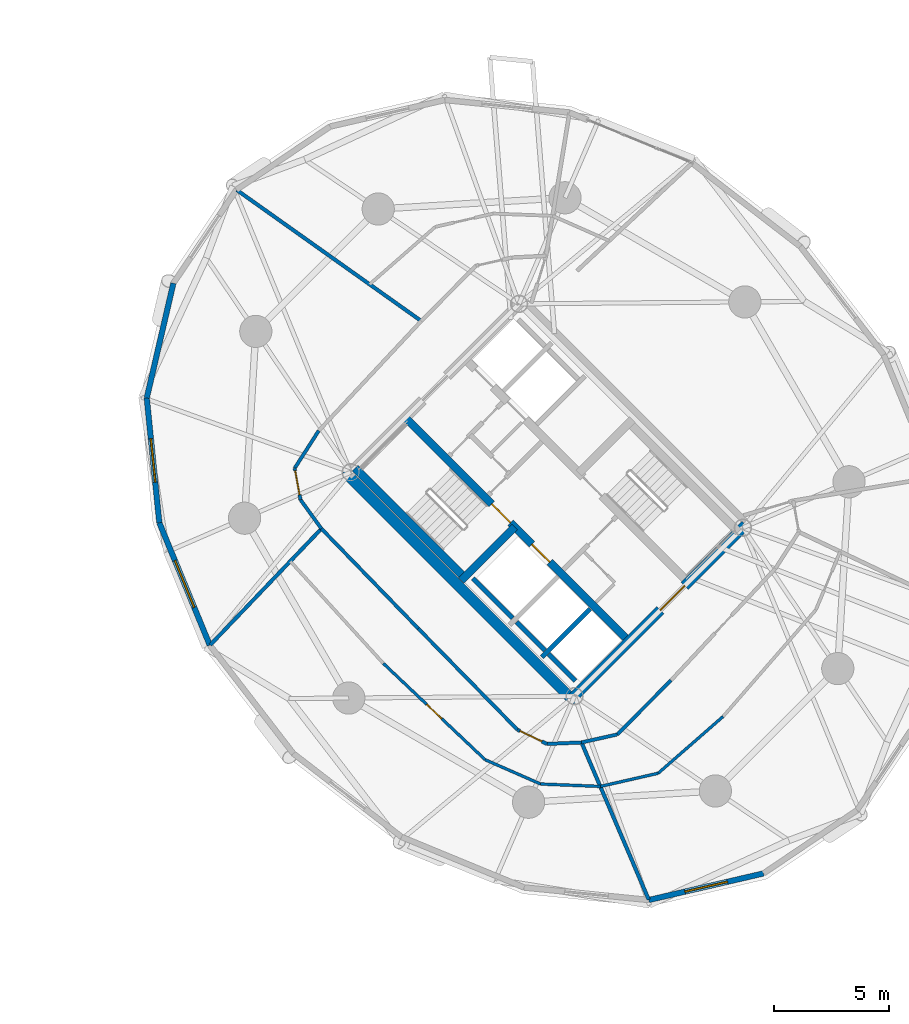
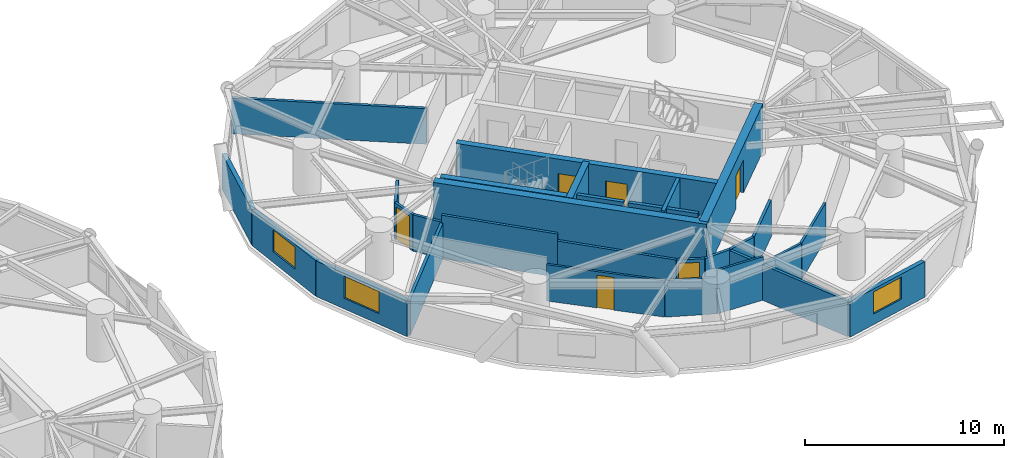
# One storey, part 12 of 17: 30 walls, 6 doors, 3 windows, 9 openings.
"""IFC4 building model written with IfcOpenShell, lengths in metres."""

from ifc_helpers import new_model, si_unit, direction, frame, frame_2d, origin, place, context, subcontext, project, spatial, rectangle, extrude, source, transform, mapped, material, layer, layer_set, type_object, element, fill, save


model = new_model("IFC4")

# Units and contexts
model_context = context("Model", 3, precision=1e-05, world=origin(), true_north=direction((0.0, 1.0)))
body_context = subcontext(model_context, "Body", "Model", "MODEL_VIEW")
ifc_project = project(units=[si_unit("LENGTHUNIT", "METRE"), si_unit("AREAUNIT", "SQUARE_METRE"), si_unit("VOLUMEUNIT", "CUBIC_METRE"), si_unit("PLANEANGLEUNIT", "RADIAN"), si_unit("MASSUNIT", "GRAM", prefix="KILO")], contexts=[model_context])

# Site, building, storey
site_placement = place(None, origin())
site = spatial("IfcSite", under=ifc_project, at=site_placement, CompositionType="ELEMENT")
building_placement = place(site_placement, origin())
building = spatial("IfcBuilding", under=site, at=building_placement, Name="Cununo Teusaquillo Station Towers", CompositionType="ELEMENT")
storey_placement = place(building_placement, frame((0.0, 0.0, 107.97998046875)))
storey = spatial("IfcBuildingStorey", under=building, at=storey_placement, Name="L34", CompositionType="ELEMENT", Elevation=107.97998046875)

# Walls
ifc_material_1 = material(Name="Concrete C50/60", Category="concrete")
ifc_layer_1 = layer(ifc_material_1, 0.199951171875)
ifc_layer_set_1 = layer_set([ifc_layer_1], Name="Concrete C50/60")
wall_type_1 = type_object("IfcWallType", Name="WL-CORE-200", PredefinedType="SHEAR", material=ifc_layer_set_1)
wall_1_placement = place(storey_placement, frame((56.01513671875, 19.366455078125, 0.0), z_axis=(0.0, 0.0, 1.0), x_axis=(-0.707106781187, 0.707106781187, 0.0)))
element("IfcWall", 1, at=wall_1_placement, inside=storey, type_object=wall_type_1, Name="L34 Tower B Firefighting Lift Shaft Rear Shear Wall", PredefinedType="SHEAR", context=body_context, shape_type="SweptSolid", body=[
    extrude(rectangle(XDim=2.43994140625, YDim=0.199951171875, at=frame_2d((1.219970703125, 0.0))), origin(), (0.0, 0.0, 1.0), 2.909912109375),
])
wall_2_placement = place(storey_placement, frame((57.2841796875, 17.6728515625, 0.0), z_axis=(0.0, 0.0, 1.0), x_axis=(0.707147878904, 0.70706568108, 0.0)))
element("IfcWall", 2, at=wall_2_placement, inside=storey, type_object=wall_type_1, Name="L34 Tower B High-Rise Lift Hoistway Divider Shear Wall", PredefinedType="SHEAR", context=body_context, shape_type="SweptSolid", body=[
    extrude(rectangle(XDim=2.97021484375, YDim=0.199951171875, at=frame_2d((1.485107421875, 0.0))), origin(), (0.0, 0.0, 1.0), 2.909912109375),
])
wall_3_placement = place(storey_placement, frame((57.41162109375, 17.969970703125, 0.0), z_axis=(0.0, 0.0, 1.0), x_axis=(-0.707106781187, 0.707106781187, 0.0)))
element("IfcWall", 3, at=wall_3_placement, inside=storey, type_object=wall_type_1, Name="L34 Tower B High-Rise Lift 2 Shaft Rear Shear Wall", PredefinedType="SHEAR", context=body_context, shape_type="SweptSolid", body=[
    extrude(rectangle(XDim=1.73486328125, YDim=0.199951171875, at=frame_2d((0.867431640625, 0.0))), origin(), (0.0, 0.0, 1.0), 2.909912109375),
])
wall_4_placement = place(storey_placement, frame((58.7373046875, 16.64404296875, 0.0), z_axis=(0.0, 0.0, 1.0), x_axis=(-0.707032117043, 0.707181437447, 0.0)))
element("IfcWall", 4, at=wall_4_placement, inside=storey, type_object=wall_type_1, Name="L34 Tower B High-Rise Lift 1 Shaft Rear Shear Wall", PredefinedType="SHEAR", context=body_context, shape_type="SweptSolid", body=[
    extrude(rectangle(XDim=1.635009765625, YDim=0.199951171875, at=frame_2d((0.8173828125, 0.0))), origin(), (0.0, 0.0, 1.0), 2.909912109375),
])

# Wall, openings, doors
ifc_material_2 = material(Name="Concrete C50/60", Category="concrete")
ifc_layer_2 = layer(ifc_material_2, 0.35009765625)
ifc_layer_set_2 = layer_set([ifc_layer_2], Name="Concrete C50/60")
wall_type_2 = type_object("IfcWallType", Name="WL-CORE-350", PredefinedType="SHEAR", material=ifc_layer_set_2)
wall_5_placement = place(storey_placement, frame((61.077880859375, 18.355224609375, 0.0), z_axis=(0.0, 0.0, 1.0), x_axis=(-0.707106781187, 0.707106781187, 0.0)))
wall_5 = element("IfcWall", 5, at=wall_5_placement, inside=storey, type_object=wall_type_2, Name="L34 Tower B Core Shear Wall IW", PredefinedType="SHEAR", context=body_context, shape_type="SweptSolid", body=[
    extrude(rectangle(XDim=13.75, YDim=0.35009765625, at=frame_2d((6.875, 0.0))), origin(), (0.0, 0.0, 1.0), 2.909912109375),
])
shared_shape_1 = source(origin(), body_context, "Body", "SweptSolid", [
    extrude(rectangle(XDim=1.10009765625, YDim=2.014892578125, at=frame_2d((0.550048828125, 1.00732421875))), frame((0.0, 0.18505859375, 0.0), z_axis=(0.0, -1.0, 0.0), x_axis=(1.0, 0.0, 0.0)), (0.0, 0.0, 1.0), 0.3701171875),
])
opening_1_placement = place(wall_5_placement, frame((4.875, 0.0, 0.0)))
opening_1 = element("IfcOpeningElement", 6, at=opening_1_placement, cuts=wall_5, Name="Opening LD-01", PredefinedType="OPENING", context=body_context, shape_type="MappedRepresentation", body=[
    mapped(shared_shape_1, transform((0.0, 0.0, 0.0), x_axis=(1.0, 0.0, 0.0), y_axis=(0.0, 1.0, 0.0), z_axis=(0.0, 0.0, 1.0), scale=1.0)),
])
shared_shape_2 = source(origin(), body_context, "Body", "SweptSolid", [
    extrude(rectangle(XDim=1.14990234375, YDim=2.02001953125, at=frame_2d((0.574951171875, 1.010009765625))), frame((0.0, 0.18505859375, 0.0), z_axis=(0.0, -1.0, 0.0), x_axis=(1.0, 0.0, 0.0)), (0.0, 0.0, 1.0), 0.3701171875),
])
opening_2_placement = place(wall_5_placement, frame((7.294921875, 0.0, 0.0)))
opening_2 = element("IfcOpeningElement", 7, at=opening_2_placement, cuts=wall_5, Name="Opening D-ST1", PredefinedType="OPENING", context=body_context, shape_type="MappedRepresentation", body=[
    mapped(shared_shape_2, transform((0.0, 0.0, 0.0), x_axis=(1.0, 0.0, 0.0), y_axis=(0.0, 1.0, 0.0), z_axis=(0.0, 0.0, 1.0), scale=1.0)),
])
ifc_material_3 = material(Name="Galvanised fire-rated hollow steel door assembly", Category="steel")
door_type_1 = type_object("IfcDoorType", Name="DR-LIFT-1100", OperationType="SLIDING_TO_LEFT", PredefinedType="DOOR", material=ifc_material_3)
shared_shape_3 = source(origin(), body_context, "Body", "SweptSolid", [
    extrude(rectangle(XDim=1.10009765625, YDim=2.014892578125, at=frame_2d((0.550048828125, 1.00732421875))), frame((0.0, 0.02490234375, 0.0), z_axis=(0.0, -1.0, 0.0), x_axis=(1.0, 0.0, 0.0)), (0.0, 0.0, 1.0), 0.050048828125),
])
door_1_placement = place(opening_1_placement, origin())
door_1 = element("IfcDoor", 8, at=door_1_placement, inside=storey, type_object=door_type_1, Name="L34 Lift FL-T2 Sliding Landing Door", OperationType="SLIDING_TO_RIGHT", OverallHeight=2.014892578125, OverallWidth=1.10009765625, PredefinedType="DOOR", context=body_context, shape_type="MappedRepresentation", body=[
    mapped(shared_shape_3, transform((0.0, 0.0, 0.0), x_axis=(1.0, 0.0, 0.0), y_axis=(0.0, 1.0, 0.0), z_axis=(0.0, 0.0, 1.0), scale=1.0)),
])
fill(opening_1, door_1)
ifc_material_4 = material(Name="Galvanised fire-rated hollow steel door assembly", Category="steel")
door_type_2 = type_object("IfcDoorType", Name="DR-STAIR-1150", OperationType="NOTDEFINED", PredefinedType="DOOR", material=ifc_material_4)
shared_shape_4 = source(origin(), body_context, "Body", "SweptSolid", [
    extrude(rectangle(XDim=1.14990234375, YDim=2.02001953125, at=frame_2d((0.574951171875, 1.010009765625))), frame((0.0, 0.02490234375, 0.0), z_axis=(0.0, -1.0, 0.0), x_axis=(1.0, 0.0, 0.0)), (0.0, 0.0, 1.0), 0.050048828125),
])
door_2_placement = place(opening_2_placement, origin())
door_2 = element("IfcDoor", 9, at=door_2_placement, inside=storey, type_object=door_type_2, Name="L34 Tower B Exit Stair 1 Fire Door", OperationType="SINGLE_SWING_LEFT", OverallHeight=2.02001953125, OverallWidth=1.14990234375, PredefinedType="DOOR", context=body_context, shape_type="MappedRepresentation", body=[
    mapped(shared_shape_4, transform((0.0, 0.0, 0.0), x_axis=(1.0, 0.0, 0.0), y_axis=(0.0, 1.0, 0.0), z_axis=(0.0, 0.0, 1.0), scale=1.0)),
])
fill(opening_2, door_2)

# Walls
wall_6_placement = place(storey_placement, frame((53.922119140625, 21.14111328125, 0.0), z_axis=(0.0, 0.0, 1.0), x_axis=(-0.707088616009, 0.707124945897, 0.0)))
element("IfcWall", 10, at=wall_6_placement, inside=storey, type_object=wall_type_2, Name="L34 Tower B Core Shear Wall ST1W", PredefinedType="SHEAR", context=body_context, shape_type="SweptSolid", body=[
    extrude(rectangle(XDim=6.72021484375, YDim=0.35009765625, at=frame_2d((3.360107421875, 0.0))), origin(), (0.0, 0.0, 1.0), 2.909912109375),
])
wall_7_placement = place(storey_placement, frame((53.7841796875, 21.00341796875, 0.0), z_axis=(0.0, 0.0, 1.0), x_axis=(0.707106781187, 0.707106781187, 0.0)))
element("IfcWall", 11, at=wall_7_placement, inside=storey, type_object=wall_type_2, Name="L34 Tower B Core Shear Wall ST1S", PredefinedType="SHEAR", context=body_context, shape_type="SweptSolid", body=[
    extrude(rectangle(XDim=3.284912109375, YDim=0.35009765625, at=frame_2d((1.642578125, 0.0))), origin(), (0.0, 0.0, 1.0), 2.909912109375),
])
ifc_material_5 = material(Name="Concrete C60/75", Category="concrete")
ifc_layer_3 = layer(ifc_material_5, 0.449951171875)
ifc_layer_set_3 = layer_set([ifc_layer_3], Name="Concrete C60/75")
wall_type_3 = type_object("IfcWallType", Name="WL-CORE-450", PredefinedType="SHEAR", material=ifc_layer_set_3)
wall_8_placement = place(storey_placement, frame((58.7373046875, 15.696533203125, 0.0), z_axis=(0.0, 0.0, 1.0), x_axis=(-0.707106781187, 0.707106781187, 0.0)))
element("IfcWall", 12, at=wall_8_placement, inside=storey, type_object=wall_type_3, Name="L34 Tower B Core Shear Wall W", PredefinedType="SHEAR", context=body_context, shape_type="SweptSolid", body=[
    extrude(rectangle(XDim=14.19970703125, YDim=0.449951171875, at=frame_2d((7.099853515625, 0.0))), origin(), (0.0, 0.0, 1.0), 2.909912109375),
])

# Wall, opening, door
wall_9_placement = place(storey_placement, frame((58.578369140625, 15.855712890625, 0.0), z_axis=(0.0, 0.0, 1.0), x_axis=(0.707106781187, 0.707106781187, 0.0)))
wall_9 = element("IfcWall", 13, at=wall_9_placement, inside=storey, type_object=wall_type_3, Name="L34 Tower B Core Shear Wall S", PredefinedType="SHEAR", context=body_context, shape_type="SweptSolid", body=[
    extrude(rectangle(XDim=10.69970703125, YDim=0.449951171875, at=frame_2d((5.349853515625, 0.0))), origin(), (0.0, 0.0, 1.0), 2.909912109375),
])
shared_shape_5 = source(origin(), body_context, "Body", "SweptSolid", [
    extrude(rectangle(XDim=1.5, YDim=2.02001953125, at=frame_2d((0.75, 1.010009765625))), frame((0.0, 0.23486328125, 0.0), z_axis=(0.0, -1.0, 0.0), x_axis=(1.0, 0.0, 0.0)), (0.0, 0.0, 1.0), 0.469970703125),
])
opening_3_placement = place(wall_9_placement, frame((5.449951171875, 0.0, 0.0)))
opening_3 = element("IfcOpeningElement", 14, at=opening_3_placement, cuts=wall_9, Name="Opening D-LB1", PredefinedType="OPENING", context=body_context, shape_type="MappedRepresentation", body=[
    mapped(shared_shape_5, transform((0.0, 0.0, 0.0), x_axis=(1.0, 0.0, 0.0), y_axis=(0.0, 1.0, 0.0), z_axis=(0.0, 0.0, 1.0), scale=1.0)),
])
ifc_material_6 = material(Name="Galvanised fire-rated hollow steel door assembly", Category="steel")
door_type_3 = type_object("IfcDoorType", Name="DR-LOBBY-1500", OperationType="DOUBLE_DOOR_SINGLE_SWING", PredefinedType="DOOR", material=ifc_material_6)
shared_shape_6 = source(origin(), body_context, "Body", "SweptSolid", [
    extrude(rectangle(XDim=1.5, YDim=2.02001953125, at=frame_2d((0.75, 1.010009765625))), frame((0.0, 0.02490234375, 0.0), z_axis=(0.0, -1.0, 0.0), x_axis=(1.0, 0.0, 0.0)), (0.0, 0.0, 1.0), 0.050048828125),
])
door_3_placement = place(opening_3_placement, origin())
door_3 = element("IfcDoor", 15, at=door_3_placement, inside=storey, type_object=door_type_3, Name="L34 Tower B South Core Lift Lobby Door", OperationType="DOUBLE_DOOR_SINGLE_SWING", OverallHeight=2.02001953125, OverallWidth=1.5, PredefinedType="DOOR", context=body_context, shape_type="MappedRepresentation", body=[
    mapped(shared_shape_6, transform((0.0, 0.0, 0.0), x_axis=(1.0, 0.0, 0.0), y_axis=(0.0, 1.0, 0.0), z_axis=(0.0, 0.0, 1.0), scale=1.0)),
])
fill(opening_3, door_3)

# Wall
ifc_material_7 = material(Name="Precast concrete C40/50", Category="concrete")
ifc_layer_4 = layer(ifc_material_7, 0.239990234375)
ifc_layer_set_4 = layer_set([ifc_layer_4], Name="Precast concrete C40/50")
wall_type_4 = type_object("IfcWallType", Name="WL-EXT-240", PredefinedType="SOLIDWALL", material=ifc_layer_set_4)
wall_10_placement = place(storey_placement, frame((40.114990234375, 28.933349609375, 0.0), z_axis=(0.0, 0.0, 1.0), x_axis=(0.225834725257, 0.974165631126, 0.0)))
element("IfcWall", 16, at=wall_10_placement, inside=storey, type_object=wall_type_4, Name="L34 Tower B Exterior Facade Wall C06", PredefinedType="SOLIDWALL", context=body_context, shape_type="SweptSolid", body=[
    extrude(rectangle(XDim=5.118896484375, YDim=0.239990234375, at=frame_2d((2.5595703125, 0.0))), origin(), (0.0, 0.0, 1.0), 2.178955078125),
])

# Wall, opening, window
wall_11_placement = place(storey_placement, frame((40.66064453125, 23.5126953125, 0.0), z_axis=(0.0, 0.0, 1.0), x_axis=(-0.10015591906, 0.994971754311, 0.0)))
wall_11 = element("IfcWall", 17, at=wall_11_placement, inside=storey, type_object=wall_type_4, Name="L34 Tower B Exterior Facade Wall C07", PredefinedType="SOLIDWALL", context=body_context, shape_type="SweptSolid", body=[
    extrude(rectangle(XDim=5.447998046875, YDim=0.239990234375, at=frame_2d((2.72412109375, 0.0))), origin(), (0.0, 0.0, 1.0), 2.178955078125),
])
shared_shape_7 = source(origin(), body_context, "Body", "SweptSolid", [
    extrude(rectangle(XDim=1.89990234375, YDim=1.35009765625, at=frame_2d((0.949951171875, 0.675048828125))), frame((0.0, 0.1298828125, 0.0), z_axis=(0.0, -1.0, 0.0), x_axis=(1.0, 0.0, 0.0)), (0.0, 0.0, 1.0), 0.260009765625),
])
opening_4_placement = place(wall_11_placement, frame((1.77392578125, 0.0, 0.64990234375)))
opening_4 = element("IfcOpeningElement", 18, at=opening_4_placement, cuts=wall_11, Name="Opening WN-02", PredefinedType="OPENING", context=body_context, shape_type="MappedRepresentation", body=[
    mapped(shared_shape_7, transform((0.0, 0.0, 0.0), x_axis=(1.0, 0.0, 0.0), y_axis=(0.0, 1.0, 0.0), z_axis=(0.0, 0.0, 1.0), scale=1.0)),
])
ifc_material_8 = material(Name="Operable acoustic tinted low-E double glazing", Category="glass")
window_type_1 = type_object("IfcWindowType", Name="WIN-OPER-1900", PartitioningType="DOUBLE_PANEL_VERTICAL", PredefinedType="WINDOW", material=ifc_material_8)
shared_shape_8 = source(origin(), body_context, "Body", "SweptSolid", [
    extrude(rectangle(XDim=1.89990234375, YDim=1.35009765625, at=frame_2d((0.949951171875, 0.675048828125))), frame((0.0, 0.030029296875, 0.0), z_axis=(0.0, -1.0, 0.0), x_axis=(1.0, 0.0, 0.0)), (0.0, 0.0, 1.0), 0.06005859375),
])
window_1_placement = place(opening_4_placement, origin())
window_1 = element("IfcWindow", 19, at=window_1_placement, inside=storey, type_object=window_type_1, Name="L34 Tower B Facade Window C07", OverallHeight=1.35009765625, OverallWidth=1.89990234375, PartitioningType="DOUBLE_PANEL_VERTICAL", PredefinedType="WINDOW", context=body_context, shape_type="MappedRepresentation", body=[
    mapped(shared_shape_8, transform((0.0, 0.0, 0.0), x_axis=(1.0, 0.0, 0.0), y_axis=(0.0, 1.0, 0.0), z_axis=(0.0, 0.0, 1.0), scale=1.0)),
])
fill(opening_4, window_1)

wall_12_placement = place(storey_placement, frame((42.854736328125, 18.188720703125, 0.0), z_axis=(0.0, 0.0, 1.0), x_axis=(-0.381027003055, 0.924563909604, 0.0)))
wall_12 = element("IfcWall", 20, at=wall_12_placement, inside=storey, type_object=wall_type_4, Name="L34 Tower B Exterior Facade Wall C08", PredefinedType="SOLIDWALL", context=body_context, shape_type="SweptSolid", body=[
    extrude(rectangle(XDim=5.75830078125, YDim=0.239990234375, at=frame_2d((2.879150390625, 0.0))), origin(), (0.0, 0.0, 1.0), 2.178955078125),
])
shared_shape_9 = source(origin(), body_context, "Body", "SweptSolid", [
    extrude(rectangle(XDim=2.199951171875, YDim=1.35009765625, at=frame_2d((1.10009765625, 0.675048828125))), frame((0.0, 0.1298828125, 0.0), z_axis=(0.0, -1.0, 0.0), x_axis=(1.0, 0.0, 0.0)), (0.0, 0.0, 1.0), 0.260009765625),
])
opening_5_placement = place(wall_12_placement, frame((1.779052734375, 0.0, 0.64990234375)))
opening_5 = element("IfcOpeningElement", 21, at=opening_5_placement, cuts=wall_12, Name="Opening WN-01", PredefinedType="OPENING", context=body_context, shape_type="MappedRepresentation", body=[
    mapped(shared_shape_9, transform((0.0, 0.0, 0.0), x_axis=(1.0, 0.0, 0.0), y_axis=(0.0, 1.0, 0.0), z_axis=(0.0, 0.0, 1.0), scale=1.0)),
])
ifc_material_9 = material(Name="Ceramic-fritted dark low-E double glazing", Category="glass")
window_type_2 = type_object("IfcWindowType", Name="WIN-FRIT-2200", PartitioningType="DOUBLE_PANEL_VERTICAL", PredefinedType="WINDOW", material=ifc_material_9)
shared_shape_10 = source(origin(), body_context, "Body", "SweptSolid", [
    extrude(rectangle(XDim=2.199951171875, YDim=1.35009765625, at=frame_2d((1.10009765625, 0.675048828125))), frame((0.0, 0.030029296875, 0.0), z_axis=(0.0, -1.0, 0.0), x_axis=(1.0, 0.0, 0.0)), (0.0, 0.0, 1.0), 0.06005859375),
])
window_2_placement = place(opening_5_placement, origin())
window_2 = element("IfcWindow", 22, at=window_2_placement, inside=storey, type_object=window_type_2, Name="L34 Tower B Facade Window C08", OverallHeight=1.35009765625, OverallWidth=2.199951171875, PartitioningType="DOUBLE_PANEL_VERTICAL", PredefinedType="WINDOW", context=body_context, shape_type="MappedRepresentation", body=[
    mapped(shared_shape_10, transform((0.0, 0.0, 0.0), x_axis=(1.0, 0.0, 0.0), y_axis=(0.0, 1.0, 0.0), z_axis=(0.0, 0.0, 1.0), scale=1.0)),
])
fill(opening_5, window_2)

wall_13_placement = place(storey_placement, frame((66.919921875, 8.27099609375, 0.0), z_axis=(0.0, 0.0, 1.0), x_axis=(-0.974165631126, -0.225834725257, 0.0)))
wall_13 = element("IfcWall", 23, at=wall_13_placement, inside=storey, type_object=wall_type_4, Name="L34 Tower B Exterior Facade Wall C13", PredefinedType="SOLIDWALL", context=body_context, shape_type="SweptSolid", body=[
    extrude(rectangle(XDim=5.118896484375, YDim=0.239990234375, at=frame_2d((2.5595703125, 0.0))), origin(), (0.0, 0.0, 1.0), 2.178955078125),
])
opening_6_placement = place(wall_13_placement, frame((1.60888671875, 0.0, 0.64990234375)))
opening_6 = element("IfcOpeningElement", 24, at=opening_6_placement, cuts=wall_13, Name="Opening WN-02", PredefinedType="OPENING", context=body_context, shape_type="MappedRepresentation", body=[
    mapped(shared_shape_7, transform((0.0, 0.0, 0.0), x_axis=(1.0, 0.0, 0.0), y_axis=(0.0, 1.0, 0.0), z_axis=(0.0, 0.0, 1.0), scale=1.0)),
])
window_3_placement = place(opening_6_placement, origin())
window_3 = element("IfcWindow", 25, at=window_3_placement, inside=storey, type_object=window_type_1, Name="L34 Tower B Facade Window C13", OverallHeight=1.35009765625, OverallWidth=1.89990234375, PartitioningType="DOUBLE_PANEL_VERTICAL", PredefinedType="WINDOW", context=body_context, shape_type="MappedRepresentation", body=[
    mapped(shared_shape_8, transform((0.0, 0.0, 0.0), x_axis=(1.0, 0.0, 0.0), y_axis=(0.0, 1.0, 0.0), z_axis=(0.0, 0.0, 1.0), scale=1.0)),
])
fill(opening_6, window_3)

# Wall, opening, door
ifc_material_10 = material(Name="Fire-rated gypsum plasterboard partition assembly", Category="gypsum")
ifc_layer_5 = layer(ifc_material_10, 0.125)
ifc_layer_set_5 = layer_set([ifc_layer_5], Name="Fire-rated gypsum plasterboard partition assembly")
wall_type_5 = type_object("IfcWallType", Name="WL-PART-125", PredefinedType="PARTITIONING", material=ifc_layer_set_5)
wall_14_placement = place(storey_placement, frame((50.397216796875, 17.397216796875, 0.0), z_axis=(0.0, 0.0, 1.0), x_axis=(0.726427828833, -0.687242758781, 0.0)))
wall_14 = element("IfcWall", 26, at=wall_14_placement, inside=storey, type_object=wall_type_5, Name="L34 Tower B Ambassadorial Executive Office Concentric Partition Wall C10", PredefinedType="PARTITIONING", context=body_context, shape_type="SweptSolid", body=[
    extrude(rectangle(XDim=6.087158203125, YDim=0.125, at=frame_2d((3.04345703125, 0.0))), origin(), (0.0, 0.0, 1.0), 2.22509765625),
])
shared_shape_11 = source(origin(), body_context, "Body", "SweptSolid", [
    extrude(rectangle(XDim=0.89990234375, YDim=2.0048828125, at=frame_2d((0.449951171875, 1.00244140625))), frame((0.0, 0.072509765625, 0.0), z_axis=(0.0, -1.0, 0.0), x_axis=(1.0, 0.0, 0.0)), (0.0, 0.0, 1.0), 0.14501953125),
])
opening_7_placement = place(wall_14_placement, frame((2.593505859375, 0.0, 0.0)))
opening_7 = element("IfcOpeningElement", 27, at=opening_7_placement, cuts=wall_14, Name="Opening D-IN1", PredefinedType="OPENING", context=body_context, shape_type="MappedRepresentation", body=[
    mapped(shared_shape_11, transform((0.0, 0.0, 0.0), x_axis=(1.0, 0.0, 0.0), y_axis=(0.0, 1.0, 0.0), z_axis=(0.0, 0.0, 1.0), scale=1.0)),
])
ifc_material_11 = material(Name="Acoustic solid-core hardwood leaf assembly", Category="wood")
door_type_4 = type_object("IfcDoorType", Name="DR-INT-900", OperationType="NOTDEFINED", PredefinedType="DOOR", material=ifc_material_11)
shared_shape_12 = source(origin(), body_context, "Body", "SweptSolid", [
    extrude(rectangle(XDim=0.89990234375, YDim=2.0048828125, at=frame_2d((0.449951171875, 1.00244140625))), frame((0.0, 0.02490234375, 0.0), z_axis=(0.0, -1.0, 0.0), x_axis=(1.0, 0.0, 0.0)), (0.0, 0.0, 1.0), 0.050048828125),
])
door_4_placement = place(opening_7_placement, origin())
door_4 = element("IfcDoor", 28, at=door_4_placement, inside=storey, type_object=door_type_4, Name="L34 Tower B Ambassadorial Executive Office Connecting Door", OperationType="SINGLE_SWING_RIGHT", OverallHeight=2.0048828125, OverallWidth=0.89990234375, PredefinedType="DOOR", context=body_context, shape_type="MappedRepresentation", body=[
    mapped(shared_shape_12, transform((0.0, 0.0, 0.0), x_axis=(1.0, 0.0, 0.0), y_axis=(0.0, 1.0, 0.0), z_axis=(0.0, 0.0, 1.0), scale=1.0)),
])
fill(opening_7, door_4)

# Walls
wall_15_placement = place(storey_placement, frame((54.819091796875, 13.2138671875, 0.0), z_axis=(0.0, 0.0, 1.0), x_axis=(0.915889218912, -0.401431113245, 0.0)))
element("IfcWall", 29, at=wall_15_placement, inside=storey, type_object=wall_type_5, Name="L34 Tower B Ambassadorial Executive Office Concentric Partition Wall C11", PredefinedType="PARTITIONING", context=body_context, shape_type="SweptSolid", body=[
    extrude(rectangle(XDim=2.63525390625, YDim=0.125, at=frame_2d((1.317626953125, 0.0))), origin(), (0.0, 0.0, 1.0), 2.22509765625),
])
wall_16_placement = place(storey_placement, frame((57.232666015625, 12.156005859375, 0.0), z_axis=(0.0, 0.0, 1.0), x_axis=(0.999181916557, -0.040441286156, 0.0)))
element("IfcWall", 30, at=wall_16_placement, inside=storey, type_object=wall_type_5, Name="L34 Tower B Ambassadorial Executive Office Concentric Partition Wall C12", PredefinedType="PARTITIONING", context=body_context, shape_type="SweptSolid", body=[
    extrude(rectangle(XDim=2.595947265625, YDim=0.125, at=frame_2d((1.2978515625, 0.0))), origin(), (0.0, 0.0, 1.0), 2.655029296875),
])
wall_17_placement = place(storey_placement, frame((59.826416015625, 12.051025390625, 0.0), z_axis=(0.0, 0.0, 1.0), x_axis=(0.975009915085, 0.222161350116, 0.0)))
element("IfcWall", 31, at=wall_17_placement, inside=storey, type_object=wall_type_5, Name="L34 Tower B Cultural Attache Workplace Concentric Partition Wall C13", PredefinedType="PARTITIONING", context=body_context, shape_type="SweptSolid", body=[
    extrude(rectangle(XDim=2.578125, YDim=0.125, at=frame_2d((1.2890625, 0.0))), origin(), (0.0, 0.0, 1.0), 2.22509765625),
])
wall_18_placement = place(storey_placement, frame((62.340087890625, 12.623779296875, 0.0), z_axis=(0.0, 0.0, 1.0), x_axis=(0.753169839919, 0.657826110941, 0.0)))
element("IfcWall", 32, at=wall_18_placement, inside=storey, type_object=wall_type_5, Name="L34 Tower B Cultural Attache Workplace Concentric Partition Wall C14", PredefinedType="PARTITIONING", context=body_context, shape_type="SweptSolid", body=[
    extrude(rectangle(XDim=3.74609375, YDim=0.125, at=frame_2d((1.873046875, 0.0))), origin(), (0.0, 0.0, 1.0), 2.22509765625),
])
ifc_material_12 = material(Name="Fire-rated gypsum plasterboard partition assembly", Category="gypsum")
ifc_layer_6 = layer(ifc_material_12, 0.14990234375)
ifc_layer_set_6 = layer_set([ifc_layer_6], Name="Fire-rated gypsum plasterboard partition assembly")
wall_type_6 = type_object("IfcWallType", Name="WL-PART-150", PredefinedType="PARTITIONING", material=ifc_layer_set_6)
wall_19_placement = place(storey_placement, frame((47.58837890625, 27.51025390625, 0.0), z_axis=(0.0, 0.0, 1.0), x_axis=(-0.540202619347, -0.841534984449, 0.0)))
element("IfcWall", 33, at=wall_19_placement, inside=storey, type_object=wall_type_6, Name="L34 Tower B Corridor Ring Wall C06", PredefinedType="PARTITIONING", context=body_context, shape_type="SweptSolid", body=[
    extrude(rectangle(XDim=1.934814453125, YDim=0.14990234375, at=frame_2d((0.96728515625, 0.0))), origin(), (0.0, 0.0, 1.0), 2.22509765625),
])

# Wall, opening, door
wall_20_placement = place(storey_placement, frame((46.543212890625, 25.882080078125, 0.0), z_axis=(0.0, 0.0, 1.0), x_axis=(0.181153502579, -0.983454832976, 0.0)))
wall_20 = element("IfcWall", 34, at=wall_20_placement, inside=storey, type_object=wall_type_6, Name="L34 Tower B Corridor Ring Wall C07", PredefinedType="PARTITIONING", context=body_context, shape_type="SweptSolid", body=[
    extrude(rectangle(XDim=1.39208984375, YDim=0.14990234375, at=frame_2d((0.696044921875, 0.0))), origin(), (0.0, 0.0, 1.0), 2.22509765625),
])
shared_shape_13 = source(origin(), body_context, "Body", "SweptSolid", [
    extrude(rectangle(XDim=1.050048828125, YDim=2.014892578125, at=frame_2d((0.52490234375, 1.00732421875))), frame((0.0, 0.0849609375, 0.0), z_axis=(0.0, -1.0, 0.0), x_axis=(1.0, 0.0, 0.0)), (0.0, 0.0, 1.0), 0.169921875),
])
opening_8_placement = place(wall_20_placement, frame((0.1201171875, 0.0, 0.0)))
opening_8 = element("IfcOpeningElement", 35, at=opening_8_placement, cuts=wall_20, Name="Opening D-SU1", PredefinedType="OPENING", context=body_context, shape_type="MappedRepresentation", body=[
    mapped(shared_shape_13, transform((0.0, 0.0, 0.0), x_axis=(1.0, 0.0, 0.0), y_axis=(0.0, 1.0, 0.0), z_axis=(0.0, 0.0, 1.0), scale=1.0)),
])
ifc_material_13 = material(Name="Acoustic solid-core hardwood leaf assembly", Category="wood")
door_type_5 = type_object("IfcDoorType", Name="DR-SUITE-1050", OperationType="NOTDEFINED", PredefinedType="DOOR", material=ifc_material_13)
shared_shape_14 = source(origin(), body_context, "Body", "SweptSolid", [
    extrude(rectangle(XDim=1.050048828125, YDim=2.014892578125, at=frame_2d((0.52490234375, 1.00732421875))), frame((0.0, 0.02490234375, 0.0), z_axis=(0.0, -1.0, 0.0), x_axis=(1.0, 0.0, 0.0)), (0.0, 0.0, 1.0), 0.050048828125),
])
door_5_placement = place(opening_8_placement, origin())
door_5 = element("IfcDoor", 36, at=door_5_placement, inside=storey, type_object=door_type_5, Name="L34 Tower B Bilateral Treaty Conference Room Entrance Door", OperationType="SINGLE_SWING_RIGHT", OverallHeight=2.014892578125, OverallWidth=1.050048828125, PredefinedType="DOOR", context=body_context, shape_type="MappedRepresentation", body=[
    mapped(shared_shape_14, transform((0.0, 0.0, 0.0), x_axis=(1.0, 0.0, 0.0), y_axis=(0.0, 1.0, 0.0), z_axis=(0.0, 0.0, 1.0), scale=1.0)),
])
fill(opening_8, door_5)

# Walls
wall_21_placement = place(storey_placement, frame((46.79541015625, 24.512939453125, 0.0), z_axis=(0.0, 0.0, 1.0), x_axis=(0.585628197524, -0.810579801294, 0.0)))
element("IfcWall", 37, at=wall_21_placement, inside=storey, type_object=wall_type_6, Name="L34 Tower B Corridor Ring Wall C08", PredefinedType="PARTITIONING", context=body_context, shape_type="SweptSolid", body=[
    extrude(rectangle(XDim=1.55419921875, YDim=0.14990234375, at=frame_2d((0.777099609375, 0.0))), origin(), (0.0, 0.0, 1.0), 2.22509765625),
])
wall_22_placement = place(storey_placement, frame((47.70556640625, 23.253173828125, 0.0), z_axis=(0.0, 0.0, 1.0), x_axis=(0.696179266346, -0.717867974707, 0.0)))
element("IfcWall", 38, at=wall_22_placement, inside=storey, type_object=wall_type_6, Name="L34 Tower B Corridor Ring Wall C09", PredefinedType="PARTITIONING", context=body_context, shape_type="SweptSolid", body=[
    extrude(rectangle(XDim=6.044677734375, YDim=0.14990234375, at=frame_2d((3.0224609375, 0.0))), origin(), (0.0, 0.0, 1.0), 2.655029296875),
])
wall_23_placement = place(storey_placement, frame((51.913818359375, 18.913818359375, 0.0), z_axis=(0.0, 0.0, 1.0), x_axis=(0.699999313799, -0.714143515465, 0.0)))
element("IfcWall", 39, at=wall_23_placement, inside=storey, type_object=wall_type_6, Name="L34 Tower B Corridor Ring Wall C10", PredefinedType="PARTITIONING", context=body_context, shape_type="SweptSolid", body=[
    extrude(rectangle(XDim=6.162109375, YDim=0.14990234375, at=frame_2d((3.0810546875, 0.0))), origin(), (0.0, 0.0, 1.0), 2.22509765625),
])

# Wall, opening, door
wall_24_placement = place(storey_placement, frame((56.227294921875, 14.51318359375, 0.0), z_axis=(0.0, 0.0, 1.0), x_axis=(0.901477579283, -0.432825801044, 0.0)))
wall_24 = element("IfcWall", 40, at=wall_24_placement, inside=storey, type_object=wall_type_6, Name="L34 Tower B Corridor Ring Wall C11", PredefinedType="PARTITIONING", context=body_context, shape_type="SweptSolid", body=[
    extrude(rectangle(XDim=1.42431640625, YDim=0.14990234375, at=frame_2d((0.712158203125, 0.0))), origin(), (0.0, 0.0, 1.0), 2.22509765625),
])
opening_9_placement = place(wall_24_placement, frame((0.1201171875, 0.0, 0.0)))
opening_9 = element("IfcOpeningElement", 41, at=opening_9_placement, cuts=wall_24, Name="Opening D-SU1", PredefinedType="OPENING", context=body_context, shape_type="MappedRepresentation", body=[
    mapped(shared_shape_13, transform((0.0, 0.0, 0.0), x_axis=(1.0, 0.0, 0.0), y_axis=(0.0, 1.0, 0.0), z_axis=(0.0, 0.0, 1.0), scale=1.0)),
])
door_6_placement = place(opening_9_placement, origin())
door_6 = element("IfcDoor", 42, at=door_6_placement, inside=storey, type_object=door_type_5, Name="L34 Tower B Ambassadorial Executive Office Entrance Door", OperationType="SINGLE_SWING_LEFT", OverallHeight=2.014892578125, OverallWidth=1.050048828125, PredefinedType="DOOR", context=body_context, shape_type="MappedRepresentation", body=[
    mapped(shared_shape_14, transform((0.0, 0.0, 0.0), x_axis=(1.0, 0.0, 0.0), y_axis=(0.0, 1.0, 0.0), z_axis=(0.0, 0.0, 1.0), scale=1.0)),
])
fill(opening_9, door_6)

# Walls
wall_25_placement = place(storey_placement, frame((57.51123046875, 13.896728515625, 0.0), z_axis=(0.0, 0.0, 1.0), x_axis=(0.999024538494, 0.044158481476, 0.0)))
element("IfcWall", 43, at=wall_25_placement, inside=storey, type_object=wall_type_6, Name="L34 Tower B Corridor Ring Wall C12", PredefinedType="PARTITIONING", context=body_context, shape_type="SweptSolid", body=[
    extrude(rectangle(XDim=1.498291015625, YDim=0.14990234375, at=frame_2d((0.7490234375, 0.0))), origin(), (0.0, 0.0, 1.0), 2.22509765625),
])
wall_26_placement = place(storey_placement, frame((59.008056640625, 13.962890625, 0.0), z_axis=(0.0, 0.0, 1.0), x_axis=(0.976020856791, 0.21767702476, 0.0)))
element("IfcWall", 44, at=wall_26_placement, inside=storey, type_object=wall_type_6, Name="L34 Tower B Corridor Ring Wall C13", PredefinedType="PARTITIONING", context=body_context, shape_type="SweptSolid", body=[
    extrude(rectangle(XDim=1.592529296875, YDim=0.14990234375, at=frame_2d((0.79638671875, 0.0))), origin(), (0.0, 0.0, 1.0), 2.22509765625),
])
wall_27_placement = place(storey_placement, frame((60.5625, 14.3095703125, 0.0), z_axis=(0.0, 0.0, 1.0), x_axis=(0.704566236161, 0.709638230975, 0.0)))
element("IfcWall", 45, at=wall_27_placement, inside=storey, type_object=wall_type_6, Name="L34 Tower B Corridor Ring Wall C14", PredefinedType="PARTITIONING", context=body_context, shape_type="SweptSolid", body=[
    extrude(rectangle(XDim=3.3212890625, YDim=0.14990234375, at=frame_2d((1.66064453125, 0.0))), origin(), (0.0, 0.0, 1.0), 2.22509765625),
])
ifc_material_14 = material(Name="Fire-rated gypsum plasterboard partition assembly", Category="gypsum")
ifc_layer_7 = layer(ifc_material_14, 0.159912109375)
ifc_layer_set_7 = layer_set([ifc_layer_7], Name="Fire-rated gypsum plasterboard partition assembly")
wall_type_7 = type_object("IfcWallType", Name="WL-PART-160", PredefinedType="PARTITIONING", material=ifc_layer_set_7)
wall_28_placement = place(storey_placement, frame((52.04345703125, 32.27978515625, 0.0), z_axis=(0.0, 0.0, 1.0), x_axis=(-0.81534487613, 0.578975589268, 0.0)))
element("IfcWall", 46, at=wall_28_placement, inside=storey, type_object=wall_type_7, Name="L34 Tower B Radial Suite Partition R03", PredefinedType="PARTITIONING", context=body_context, shape_type="SweptSolid", body=[
    extrude(rectangle(XDim=9.828857421875, YDim=0.159912109375, at=frame_2d((4.91455078125, 0.0))), origin(), (0.0, 0.0, 1.0), 2.178955078125),
])
wall_29_placement = place(storey_placement, frame((47.70556640625, 23.253173828125, 0.0), z_axis=(0.0, 0.0, 1.0), x_axis=(-0.691027649154, -0.722828325472, 0.0)))
element("IfcWall", 47, at=wall_29_placement, inside=storey, type_object=wall_type_7, Name="L34 Tower B Radial Suite Partition R04", PredefinedType="PARTITIONING", context=body_context, shape_type="SweptSolid", body=[
    extrude(rectangle(XDim=6.993896484375, YDim=0.159912109375, at=frame_2d((3.4970703125, 0.0))), origin(), (0.0, 0.0, 1.0), 2.178955078125),
])
wall_30_placement = place(storey_placement, frame((59.008056640625, 13.962890625, 0.0), z_axis=(0.0, 0.0, 1.0), x_axis=(0.393439207333, -0.919350635032, 0.0)))
element("IfcWall", 48, at=wall_30_placement, inside=storey, type_object=wall_type_7, Name="L34 Tower B Radial Suite Partition R05", PredefinedType="PARTITIONING", context=body_context, shape_type="SweptSolid", body=[
    extrude(rectangle(XDim=7.427001953125, YDim=0.159912109375, at=frame_2d((3.71337890625, 0.0))), origin(), (0.0, 0.0, 1.0), 2.178955078125),
])

save(model, "model.ifc")
